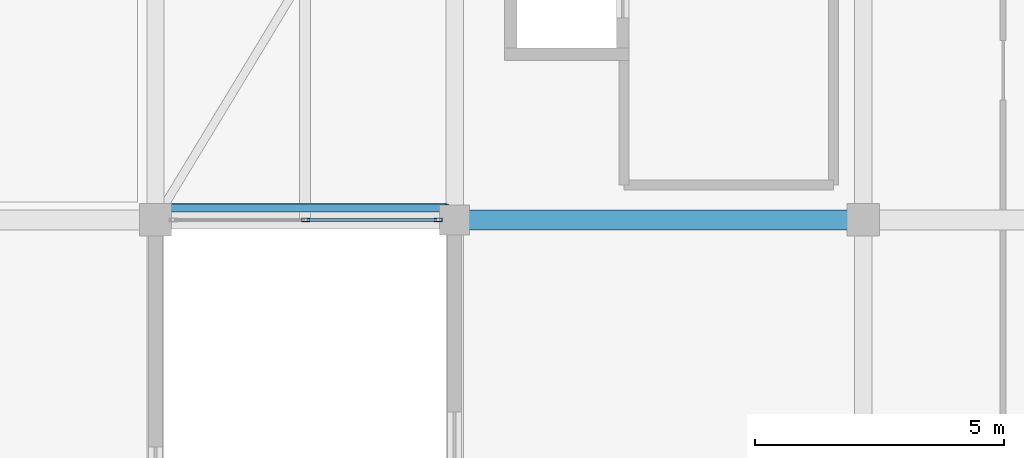
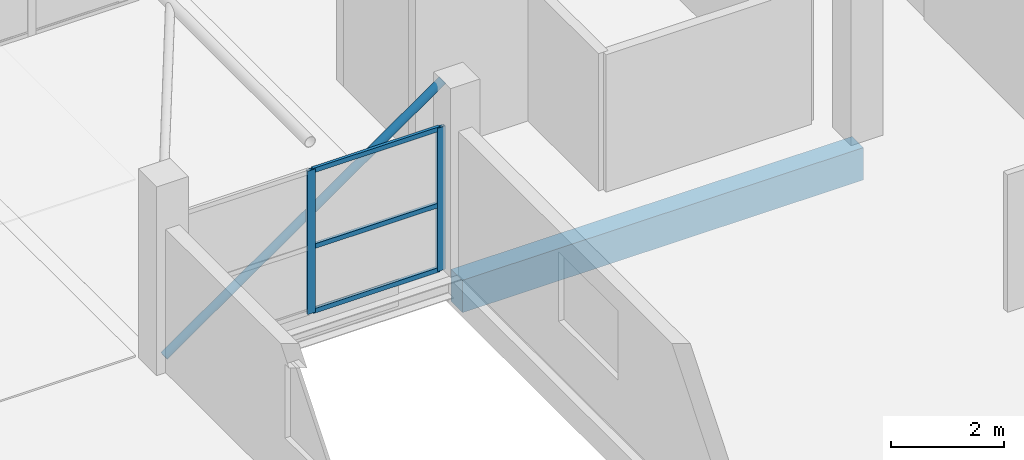
# One storey, part 16 of 66: 6 members, 1 beam, 1 element without a shape of its own.
"""IFC4 building model written with IfcOpenShell, lengths in metres."""

from ifc_helpers import new_model, si_unit, direction, frame, origin, origin_2d, place, context, subcontext, project, spatial, rectangle, hollow_rectangle, hollow_circle, extrude, material, layer, layer_set, material_profile, profile_set, type_object, element, aggregate, save


model = new_model("IFC4")

# Units and contexts
model_context = context("Model", 3, precision=1e-05, world=origin(), true_north=direction((0.0, 1.0)))
body_context = subcontext(model_context, "Body", "Model", "MODEL_VIEW")
ifc_project = project(units=[si_unit("LENGTHUNIT", "METRE"), si_unit("AREAUNIT", "SQUARE_METRE"), si_unit("VOLUMEUNIT", "CUBIC_METRE"), si_unit("PLANEANGLEUNIT", "RADIAN"), si_unit("MASSUNIT", "GRAM", prefix="KILO")], contexts=[model_context])

# Site, building, storey
site_placement = place(None, origin())
site = spatial("IfcSite", under=ifc_project, at=site_placement, CompositionType="ELEMENT")
building_placement = place(site_placement, origin())
building = spatial("IfcBuilding", under=site, at=building_placement, Name="Sillaruma Civic Art Gallery", CompositionType="ELEMENT")
storey_placement = place(building_placement, frame((0.0, 0.0, 62.219970703125)))
storey = spatial("IfcBuildingStorey", under=building, at=storey_placement, Name="L12", CompositionType="ELEMENT", Elevation=62.219970703125)

# Beam
ifc_material_1 = material(Name="Concrete H35 (35 MPa)", Category="concrete")
ifc_material_profile_1 = material_profile(ifc_material_1, rectangle(XDim=0.39990234375, YDim=0.699951171875, at=origin_2d()), Name="RCB400x700")
ifc_profile_set_1 = profile_set([ifc_material_profile_1], Name="Concrete H35 (35 MPa)")
beam_type = type_object("IfcBeamType", Name="BM-BEAM-RCB400x700", PredefinedType="BEAM", material=ifc_profile_set_1)
beam_placement = place(storey_placement, frame((98.0, 39.60009765625, -0.580078125), z_axis=(1.0, 0.0, 0.0), x_axis=(0.0, 1.0, 0.0)))
element("IfcBeam", 1, at=beam_placement, inside=storey, type_object=beam_type, Name="Beam BM-04 (L11:5:L-M)", PredefinedType="BEAM", context=body_context, shape_type="SweptSolid", body=[
    extrude(rectangle(XDim=0.39990234375, YDim=0.699951171875, at=origin_2d()), origin(), (0.0, 0.0, 1.0), 8.199951171875),
])

# Member
ifc_material_2 = material(Name="Structural Steel ASTM A500 Gr.C", Category="steel")
ifc_material_profile_2 = material_profile(ifc_material_2, hollow_circle(Radius=0.084228515625, WallThickness=0.007080078125, at=origin_2d()), Name="CHS168.3x7.1")
ifc_profile_set_2 = profile_set([ifc_material_profile_2], Name="Structural Steel ASTM A500 Gr.C")
member_type_1 = type_object("IfcMemberType", Name="MEM-BRIDGE-BRACE", PredefinedType="BRACE", material=ifc_profile_set_2)
member_1_placement = place(storey_placement, frame((92.14990234375, 39.840087890625, -0.080078125), z_axis=(0.820576982008, 0.0, 0.571536015137), x_axis=(0.0, 1.0, 0.0)))
element("IfcMember", 2, at=member_1_placement, inside=storey, type_object=member_type_1, Name="Sky-Bridge Elevation Truss Web Brace (BRG-S:L12:S)", PredefinedType="BRACE", context=body_context, shape_type="SweptSolid", body=[
    extrude(hollow_circle(Radius=0.084228515625, WallThickness=0.007080078125, at=origin_2d()), origin(), (0.0, 0.0, 1.0), 6.946533203125),
])

# Curtain wall, members
ifc_material_3 = material(Name="Thermally Broken Extruded Aluminium 6063-T6", Category="aluminium")
ifc_layer = layer(ifc_material_3, 0.159912109375, Name="Thermally Broken Extruded Aluminium 6063-T6")
ifc_layer_set = layer_set([ifc_layer], Name="Thermally Broken Extruded Aluminium 6063-T6")
curtain_wall_type = type_object("IfcCurtainWallType", Name="CW-UNI-104", PredefinedType="NOTDEFINED", material=ifc_layer_set)
curtain_wall_placement = place(storey_placement, origin())
curtain_wall = element("IfcCurtainWall", 3, at=curtain_wall_placement, inside=storey, type_object=curtain_wall_type, Name="Unitised Curtain Wall CW-104 (CW-BRG-S-L12-S)", PredefinedType="NOTDEFINED")
ifc_material_profile_3 = material_profile(ifc_material_3, hollow_rectangle(XDim=0.06494140625, YDim=0.159912109375, WallThickness=0.00390625, at=origin_2d()), Name="CWM65x160")
ifc_profile_set_3 = profile_set([ifc_material_profile_3], Name="Thermally Broken Extruded Aluminium 6063-T6")
member_type_2 = type_object("IfcMemberType", Name="MEM-MUL-CWM65x160", PredefinedType="MULLION", material=ifc_profile_set_3)
member_2_placement = place(storey_placement, frame((95.012451171875, 39.60009765625, 0.0), z_axis=(0.0, 0.0, 1.0), x_axis=(0.0, 1.0, 0.0)))
member_2 = element("IfcMember", 4, at=member_2_placement, type_object=member_type_2, Name="CW-104 mullion 2", PredefinedType="MULLION", context=body_context, shape_type="SweptSolid", body=[
    extrude(hollow_rectangle(XDim=0.06494140625, YDim=0.159912109375, WallThickness=0.00390625, at=origin_2d()), origin(), (0.0, 0.0, 1.0), 3.10009765625),
])
member_3_placement = place(storey_placement, frame((97.66748046875, 39.60009765625, 0.0), z_axis=(0.0, 0.0, 1.0), x_axis=(0.0, 1.0, 0.0)))
member_3 = element("IfcMember", 5, at=member_3_placement, type_object=member_type_2, Name="CW-104 mullion 3", PredefinedType="MULLION", context=body_context, shape_type="SweptSolid", body=[
    extrude(hollow_rectangle(XDim=0.06494140625, YDim=0.159912109375, WallThickness=0.00390625, at=origin_2d()), origin(), (0.0, 0.0, 1.0), 3.10009765625),
])
ifc_material_profile_4 = material_profile(ifc_material_3, hollow_rectangle(XDim=0.06005859375, YDim=0.10009765625, WallThickness=0.003173828125, at=origin_2d()), Name="CWT60x100")
ifc_profile_set_4 = profile_set([ifc_material_profile_4], Name="Thermally Broken Extruded Aluminium 6063-T6")
member_type_3 = type_object("IfcMemberType", Name="MEM-TRN-CWT60x100", PredefinedType="USERDEFINED", material=ifc_profile_set_4)
member_4_placement = place(storey_placement, frame((95.044921875, 39.60009765625, 0.030029296875), z_axis=(1.0, 0.0, 0.0), x_axis=(0.0, 1.0, 0.0)))
member_4 = element("IfcMember", 6, at=member_4_placement, type_object=member_type_3, Name="CW-104 transom 2.1", ObjectType="TRANSOM", PredefinedType="USERDEFINED", context=body_context, shape_type="SweptSolid", body=[
    extrude(hollow_rectangle(XDim=0.06005859375, YDim=0.10009765625, WallThickness=0.003173828125, at=origin_2d()), origin(), (0.0, 0.0, 1.0), 2.590087890625),
])
member_5_placement = place(storey_placement, frame((95.044921875, 39.60009765625, 1.426025390625), z_axis=(1.0, 0.0, 0.0), x_axis=(0.0, 1.0, 0.0)))
member_5 = element("IfcMember", 7, at=member_5_placement, type_object=member_type_3, Name="CW-104 transom 2.2", ObjectType="TRANSOM", PredefinedType="USERDEFINED", context=body_context, shape_type="SweptSolid", body=[
    extrude(hollow_rectangle(XDim=0.06005859375, YDim=0.10009765625, WallThickness=0.003173828125, at=origin_2d()), origin(), (0.0, 0.0, 1.0), 2.590087890625),
])
member_6_placement = place(storey_placement, frame((95.044921875, 39.60009765625, 3.070068359375), z_axis=(1.0, 0.0, 0.0), x_axis=(0.0, 1.0, 0.0)))
member_6 = element("IfcMember", 8, at=member_6_placement, type_object=member_type_3, Name="CW-104 transom 2.3", ObjectType="TRANSOM", PredefinedType="USERDEFINED", context=body_context, shape_type="SweptSolid", body=[
    extrude(hollow_rectangle(XDim=0.06005859375, YDim=0.10009765625, WallThickness=0.003173828125, at=origin_2d()), origin(), (0.0, 0.0, 1.0), 2.590087890625),
])
aggregate(curtain_wall, [member_2, member_3, member_4, member_5, member_6])

save(model, "model.ifc")
